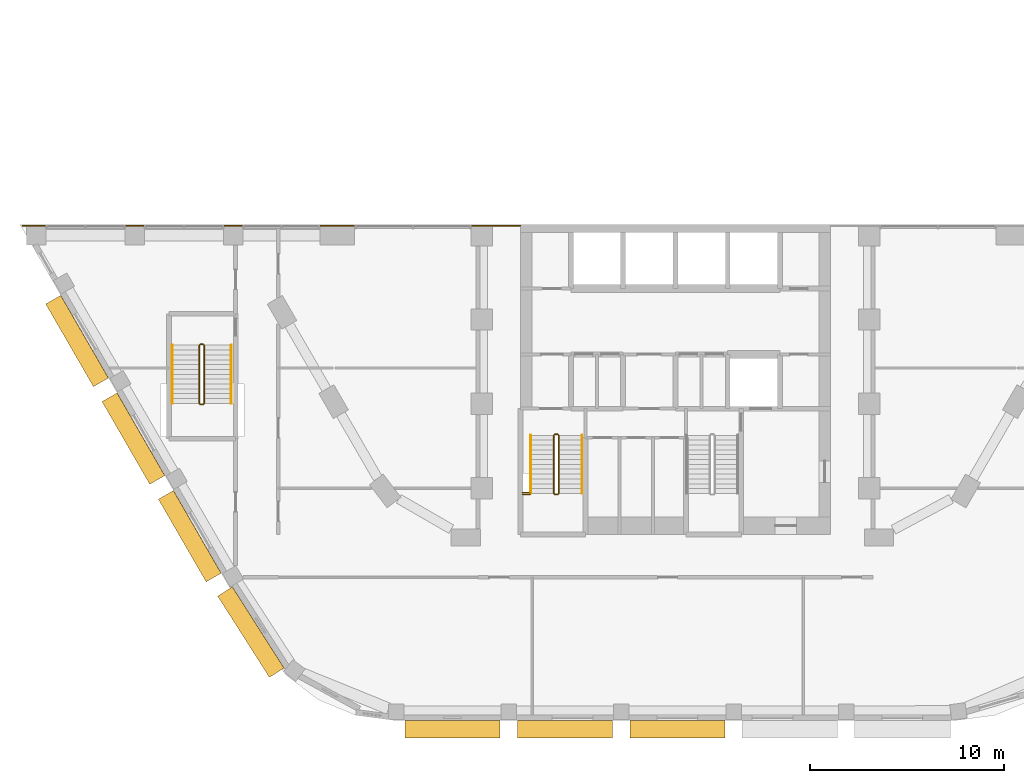
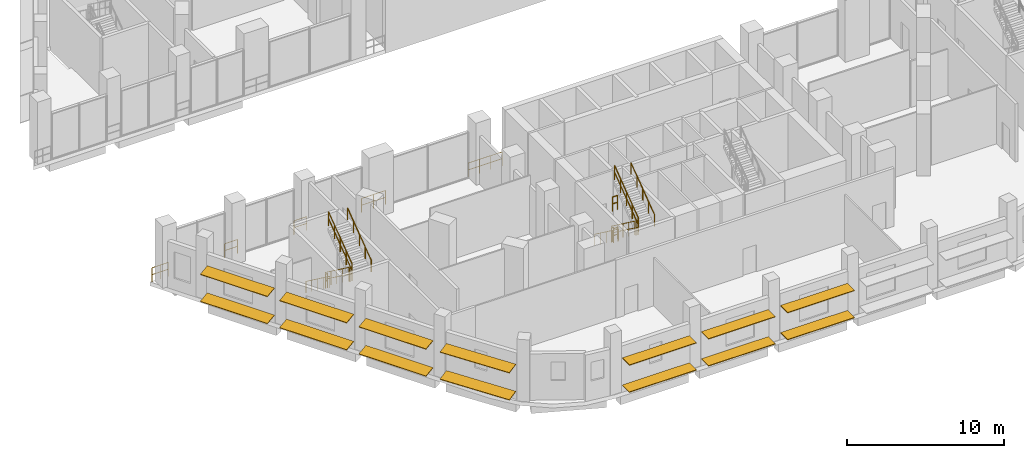
# One storey, part 35 of 45: 19 railings, 14 shading devices.
"""IFC4 building model written with IfcOpenShell, lengths in metres."""

import ifcopenshell
import ifcopenshell.guid

model = None  # the IFC model being written
_history = None  # IfcOwnerHistory: only IFC2X3 demands one
_inside = {}  # id of a spatial element -> (the spatial element, [elements in it])
_under = {}  # id of a project, library or spatial element -> (it, [spatial elements below it])
_declared = {}  # id of a project -> (the project, [libraries it declares])
_typed = {}  # id of a type object -> (the type object, [elements of that type])
_made_of = {}  # id of a material, layer set ... -> (it, [elements and type objects made of it])


def new_model(schema):
    """Start an empty IFC model of exactly this schema.

    Asked for "IFC4X3", IfcOpenShell would pick the latest addendum, in which some entities
    have other attributes; the version numbers below select the first issue.
    IFC2X3 requires an IfcOwnerHistory on every rooted entity: one is made here for all.
    """
    global model, _history
    if schema == "IFC4X3":
        model = ifcopenshell.file(schema_version=(4, 3, 0, 0))
    else:
        model = ifcopenshell.file(schema=schema)
    _inside.clear()
    _under.clear()
    _declared.clear()
    _typed.clear()
    _made_of.clear()
    _history = None
    if model.schema == "IFC2X3":
        org = make("IfcOrganization", Name="unknown")
        user = make(
            "IfcPersonAndOrganization",
            ThePerson=make("IfcPerson", FamilyName="unknown"),
            TheOrganization=org,
        )
        app = make(
            "IfcApplication",
            ApplicationDeveloper=org,
            Version="unknown",
            ApplicationFullName="unknown",
            ApplicationIdentifier="unknown",
        )
        _history = make(
            "IfcOwnerHistory",
            OwningUser=user,
            OwningApplication=app,
            ChangeAction="ADDED",
            CreationDate=0,
        )
    return model


def make(cls, **values):
    """One entity of the class cls with the attributes given. An attribute that is None is left unset."""
    return model.create_entity(
        cls, **{name: value for name, value in values.items() if value is not None}
    )


def rooted(cls, **values):
    """An entity with a GlobalId (a new one), such as an element, a storey or a relation."""
    return make(cls, GlobalId=ifcopenshell.guid.new(), OwnerHistory=_history, **values)


def si_unit(unit_type, name, prefix=None):
    """IfcSIUnit, for example si_unit("LENGTHUNIT", "METRE", prefix="MILLI")."""
    return make("IfcSIUnit", UnitType=unit_type, Prefix=prefix, Name=name)


def assignment(units):
    """IfcUnitAssignment: the units of a project."""
    return None if units is None else make("IfcUnitAssignment", Units=units)


def point(xyz):
    """IfcCartesianPoint."""
    return None if xyz is None else make("IfcCartesianPoint", Coordinates=xyz)


def direction(xyz):
    """IfcDirection."""
    return None if xyz is None else make("IfcDirection", DirectionRatios=xyz)


def frame(location, z_axis=None, x_axis=None):
    """IfcAxis2Placement3D, a coordinate frame: its origin and axes. An axis left out is left unset."""
    return make(
        "IfcAxis2Placement3D",
        Location=point(location),
        Axis=direction(z_axis),
        RefDirection=direction(x_axis),
    )


def frame_2d(location, x_axis=None):
    """IfcAxis2Placement2D, a coordinate frame in the plane: its origin and x axis."""
    return make(
        "IfcAxis2Placement2D", Location=point(location), RefDirection=direction(x_axis)
    )


def origin():
    """The frame at (0, 0, 0) with its axes left unset."""
    return frame((0.0, 0.0, 0.0))


def origin_2d():
    """The frame at (0, 0) in the plane with its x axis left unset."""
    return frame_2d((0.0, 0.0))


def place(relative_to, where):
    """IfcLocalPlacement: puts the frame where relative to a parent placement (None: the world)."""
    return make(
        "IfcLocalPlacement", PlacementRelTo=relative_to, RelativePlacement=where
    )


def context(
    kind, dimensions, precision=None, world=None, true_north=None, identifier=None
):
    """IfcGeometricRepresentationContext, for example the 3D "Model" context."""
    return make(
        "IfcGeometricRepresentationContext",
        ContextIdentifier=identifier,
        ContextType=kind,
        CoordinateSpaceDimension=dimensions,
        Precision=precision,
        WorldCoordinateSystem=world,
        TrueNorth=true_north,
    )


def subcontext(parent, identifier, kind, view, scale=None):
    """IfcGeometricRepresentationSubContext, for example "Body" below "Model"."""
    return make(
        "IfcGeometricRepresentationSubContext",
        ContextIdentifier=identifier,
        ContextType=kind,
        ParentContext=parent,
        TargetScale=scale,
        TargetView=view,
    )


def project(units=None, contexts=None):
    """IfcProject with its units and contexts."""
    return rooted(
        "IfcProject",
        Name="project",
        RepresentationContexts=contexts,
        UnitsInContext=assignment(units),
    )


def spatial(cls, under=None, at=None, **own):
    """A site, building, storey or space (cls), placed at a placement, below another one or the project."""
    s = rooted(cls, ObjectPlacement=at, **own)
    if under is not None:
        _under.setdefault(under.id(), (under, []))[1].append(s)
    return s


def profile(cls, at=None, kind="AREA", **sizes):
    """A parametric profile (cls). Its sizes go by their IFC names, for example OverallWidth=200.0."""
    return make(cls, ProfileType=kind, Position=at, **sizes)


def rectangle(**sizes):
    """IfcRectangleProfileDef."""
    return profile("IfcRectangleProfileDef", **sizes)


def circle(**sizes):
    """IfcCircleProfileDef."""
    return profile("IfcCircleProfileDef", **sizes)


def extrude(swept, where, along, depth):
    """IfcExtrudedAreaSolid: the profile swept, set in the frame where, extruded along a direction by depth."""
    return make(
        "IfcExtrudedAreaSolid",
        SweptArea=swept,
        Position=where,
        ExtrudedDirection=direction(along),
        Depth=depth,
    )


def shape(context_of_items, identifier, shape_type, items):
    """IfcShapeRepresentation: the items that make up one representation, for example the "Body"."""
    return make(
        "IfcShapeRepresentation",
        ContextOfItems=context_of_items,
        RepresentationIdentifier=identifier,
        RepresentationType=shape_type,
        Items=items,
    )


def material(Name=None, Category=None):
    """IfcMaterial."""
    return make("IfcMaterial", Name=Name, Category=Category)


def material_profile(
    of_material, cross_section, Name=None, Category=None, Priority=None
):
    """IfcMaterialProfile: a cross section and its material."""
    return make(
        "IfcMaterialProfile",
        Name=Name,
        Material=of_material,
        Profile=cross_section,
        Priority=Priority,
        Category=Category,
    )


def profile_set(profiles, Name=None, composite=None):
    """IfcMaterialProfileSet."""
    return make(
        "IfcMaterialProfileSet",
        Name=Name,
        MaterialProfiles=profiles,
        CompositeProfile=composite,
    )


def made_of(thing, what):
    """Note that an element or type object is made of a material, layer set ...; save() writes the relation."""
    if what is not None:
        _made_of.setdefault(what.id(), (what, []))[1].append(thing)
    return thing


def type_object(cls, material=None, **own):
    """A type object (cls), such as IfcWallType, which elements share."""
    return made_of(rooted(cls, **own), material)


def element(
    cls,
    number,
    at=None,
    inside=None,
    cuts=None,
    type_object=None,
    material=None,
    context=None,
    identifier="Body",
    shape_type=None,
    held_by="IfcProductDefinitionShape",
    body=None,
    shapes=None,
    **own,
):
    """One element of the class cls, such as IfcWall. Its Tag is "e" and its number.

    at: its placement. inside: the storey or other place that contains it. cuts: it is an
    opening in that element (IfcRelVoidsElement). A single representation is given by context,
    identifier, shape_type and body (its items); several are given by shapes. held_by: the class
    of the entity that holds the representations. save() writes the other relations.
    """
    e = rooted(cls, Tag="e%d" % number, ObjectPlacement=at, **own)
    if body is not None:
        shapes = [shape(context, identifier, shape_type, body)]
    if shapes is not None:
        e.Representation = make(held_by, Representations=shapes)
    if inside is not None:
        _inside.setdefault(inside.id(), (inside, []))[1].append(e)
    if cuts is not None:
        rooted(
            "IfcRelVoidsElement", RelatingBuildingElement=cuts, RelatedOpeningElement=e
        )
    if type_object is not None:
        _typed.setdefault(type_object.id(), (type_object, []))[1].append(e)
    return made_of(e, material)


def aggregate(whole, parts):
    """IfcRelAggregates: a whole, such as a stair, and the parts it consists of."""
    return rooted("IfcRelAggregates", RelatingObject=whole, RelatedObjects=parts)


def save(model, path):
    """Write the relations noted so far, then the file.

    IfcRelAggregates (storeys below a building ...), IfcRelContainedInSpatialStructure (elements
    in a storey), IfcRelDefinesByType, IfcRelAssociatesMaterial and IfcRelDeclares: one each for
    every whole, place, type object, material and project.
    """
    for whole, parts in _under.values():
        aggregate(whole, parts)
    for where, things in _inside.values():
        rooted(
            "IfcRelContainedInSpatialStructure",
            RelatedElements=things,
            RelatingStructure=where,
        )
    for kind, things in _typed.values():
        rooted("IfcRelDefinesByType", RelatedObjects=things, RelatingType=kind)
    for what, things in _made_of.values():
        rooted("IfcRelAssociatesMaterial", RelatedObjects=things, RelatingMaterial=what)
    for by, libraries in _declared.values():
        rooted("IfcRelDeclares", RelatingContext=by, RelatedDefinitions=libraries)
    model.write(path)


model = new_model("IFC4")

# Units and contexts
model_context = context("Model", 3, precision=1e-05, world=origin(), true_north=direction((0.0, 1.0)))
body_context = subcontext(model_context, "Body", "Model", "MODEL_VIEW")
ifc_project = project(units=[si_unit("LENGTHUNIT", "METRE"), si_unit("AREAUNIT", "SQUARE_METRE"), si_unit("VOLUMEUNIT", "CUBIC_METRE"), si_unit("PLANEANGLEUNIT", "RADIAN"), si_unit("MASSUNIT", "GRAM", prefix="KILO")], contexts=[model_context])

# Site, building, storey
site_placement = place(None, origin())
site = spatial("IfcSite", under=ifc_project, at=site_placement, CompositionType="ELEMENT")
building_placement = place(site_placement, origin())
building = spatial("IfcBuilding", under=site, at=building_placement, Name="Nakaniwa Court", CompositionType="ELEMENT")
storey_placement = place(building_placement, frame((0.0, 0.0, 6.60009765625)))
storey = spatial("IfcBuildingStorey", under=building, at=storey_placement, Name="L01", CompositionType="ELEMENT", Elevation=6.60009765625)

# Shading devices
ifc_material_1 = material(Name="Perforated charcoal ceramic louvre blade")
ifc_material_profile = material_profile(ifc_material_1, rectangle(XDim=0.89990234375, YDim=0.050048828125, at=origin_2d()), Name="Perforated ceramic louvre blade")
ifc_profile_set = profile_set([ifc_material_profile], Name="Perforated charcoal ceramic louvre blade")
shading_device_type = type_object("IfcShadingDeviceType", Name="Perforated ceramic louvre blade", PredefinedType="JALOUSIE", material=ifc_profile_set)
for number, where, z_axis, x_axis, name in (
    (1, (47.884765625, 68.726318359375, 0.5498046875), (0.499988503985, -0.86603204091, 0.0), (0.858623016745, 0.495711033022, 0.13052619222), "L01 perforated ceramic louvre blade w13 1"),
    (2, (47.884765625, 68.726318359375, 2.64990234375), (0.499988503985, -0.86603204091, 0.0), (0.858623016745, 0.495711033022, 0.13052619222), "L01 perforated ceramic louvre blade w13 2"),
    (3, (50.793212890625, 63.68896484375, 0.5498046875), (0.499988503985, -0.86603204091, 0.0), (0.858623016745, 0.495711033022, 0.13052619222), "L01 perforated ceramic louvre blade w14 1"),
    (4, (50.793212890625, 63.68896484375, 2.64990234375), (0.499988503985, -0.86603204091, 0.0), (0.858623016745, 0.495711033022, 0.13052619222), "L01 perforated ceramic louvre blade w14 2"),
    (5, (53.701416015625, 58.651611328125, 0.5498046875), (0.499988503985, -0.86603204091, 0.0), (0.858623016745, 0.495711033022, 0.13052619222), "L01 perforated ceramic louvre blade w15 1"),
    (6, (53.701416015625, 58.651611328125, 2.64990234375), (0.499988503985, -0.86603204091, 0.0), (0.858623016745, 0.495711033022, 0.13052619222), "L01 perforated ceramic louvre blade w15 2"),
):
    element("IfcShadingDevice", number, at=place(storey_placement, frame(where, z_axis=z_axis, x_axis=x_axis)), inside=storey, type_object=shading_device_type, Name=name, PredefinedType="JALOUSIE", context=body_context, shape_type="SweptSolid", body=[
        extrude(rectangle(XDim=0.89990234375, YDim=0.050048828125, at=origin_2d()), origin(), (0.0, 0.0, 1.0), 4.9248046875),
    ])
for number, where, z_axis, x_axis, name in (
    (7, (56.75048828125, 53.664794921875, 0.5498046875), (0.537237750098, -0.843430850675, 0.0), (0.837322169417, 0.533346720771, 0.120136838835), "L01 perforated ceramic louvre blade w16 1"),
    (8, (56.75048828125, 53.664794921875, 2.64990234375), (0.537237750098, -0.843430850675, 0.0), (0.837322169417, 0.533346720771, 0.120136838835), "L01 perforated ceramic louvre blade w16 2"),
):
    element("IfcShadingDevice", number, at=place(storey_placement, frame(where, z_axis=z_axis, x_axis=x_axis)), inside=storey, type_object=shading_device_type, Name=name, PredefinedType="JALOUSIE", context=body_context, shape_type="SweptSolid", body=[
        extrude(rectangle(XDim=0.89990234375, YDim=0.050048828125, at=origin_2d()), origin(), (0.0, 0.0, 1.0), 4.970703125),
    ])
for number, where, z_axis, x_axis, name in (
    (9, (66.041748046875, 46.550048828125, 0.5498046875), (1.0, 0.0, 0.0), (0.0, 1.0, 0.0), "L01 perforated ceramic louvre blade w19 1"),
    (10, (66.041748046875, 46.550048828125, 2.64990234375), (1.0, 0.0, 0.0), (0.0, 1.0, 0.0), "L01 perforated ceramic louvre blade w19 2"),
):
    element("IfcShadingDevice", number, at=place(storey_placement, frame(where, z_axis=z_axis, x_axis=x_axis)), inside=storey, type_object=shading_device_type, Name=name, PredefinedType="JALOUSIE", context=body_context, shape_type="SweptSolid", body=[
        extrude(rectangle(XDim=0.89990234375, YDim=0.050048828125, at=origin_2d()), origin(), (0.0, 0.0, 1.0), 4.91015625),
    ])
for number, where, z_axis, x_axis, name in (
    (11, (71.843994140625, 46.550048828125, 0.5498046875), (1.0, 0.0, 0.0), (0.0, 1.0, 0.0), "L01 perforated ceramic louvre blade w20 1"),
    (12, (71.843994140625, 46.550048828125, 2.64990234375), (1.0, 0.0, 0.0), (0.0, 1.0, 0.0), "L01 perforated ceramic louvre blade w20 2"),
):
    element("IfcShadingDevice", number, at=place(storey_placement, frame(where, z_axis=z_axis, x_axis=x_axis)), inside=storey, type_object=shading_device_type, Name=name, PredefinedType="JALOUSIE", context=body_context, shape_type="SweptSolid", body=[
        extrude(rectangle(XDim=0.89990234375, YDim=0.050048828125, at=origin_2d()), origin(), (0.0, 0.0, 1.0), 4.910400390625),
    ])
for number, where, z_axis, x_axis, name in (
    (13, (77.646240234375, 46.550048828125, 0.5498046875), (1.0, 0.0, 0.0), (0.0, 1.0, 0.0), "L01 perforated ceramic louvre blade w21 1"),
    (14, (77.646240234375, 46.550048828125, 2.64990234375), (1.0, 0.0, 0.0), (0.0, 1.0, 0.0), "L01 perforated ceramic louvre blade w21 2"),
):
    element("IfcShadingDevice", number, at=place(storey_placement, frame(where, z_axis=z_axis, x_axis=x_axis)), inside=storey, type_object=shading_device_type, Name=name, PredefinedType="JALOUSIE", context=body_context, shape_type="SweptSolid", body=[
        extrude(rectangle(XDim=0.89990234375, YDim=0.050048828125, at=origin_2d()), origin(), (0.0, 0.0, 1.0), 4.91015625),
    ])

# Railings
ifc_material_2 = material(Name="Black powder coated steel guard", Category="steel")
railing_type_1 = type_object("IfcRailingType", Name="Stair guard 1100", PredefinedType="GUARDRAIL", material=ifc_material_2)
railing_1_placement = place(storey_placement, frame((73.72509765625, 61.72509765625, 0.1845703125)))
element("IfcRailing", 15, at=railing_1_placement, inside=storey, type_object=railing_type_1, Name="L01 ST3 stair guard 1", PredefinedType="GUARDRAIL", context=body_context, shape_type="SweptSolid", body=[
    extrude(circle(Radius=0.02392578125, at=origin_2d()), frame((0.0, 0.0, 1.076171875), z_axis=(0.0, -0.804440004972, 0.594033903411), x_axis=(1.0, 0.0, 0.0)), (0.0, 0.0, 1.0), 3.729248046875),
    extrude(circle(Radius=0.02392578125, at=origin_2d()), frame((0.0, 0.0, 0.550048828125), z_axis=(0.0, -0.804440004972, 0.594033903411), x_axis=(1.0, 0.0, 0.0)), (0.0, 0.0, 1.0), 3.729248046875),
    extrude(circle(Radius=0.02099609375, at=origin_2d()), origin(), (0.0, 0.0, 1.0), 1.052001953125),
    extrude(circle(Radius=0.02099609375, at=origin_2d()), frame((0.0, -0.75, 0.5537109375)), (0.0, 0.0, 1.0), 1.052001953125),
    extrude(circle(Radius=0.02099609375, at=origin_2d()), frame((0.0, -1.5, 1.107666015625)), (0.0, 0.0, 1.0), 1.052001953125),
    extrude(circle(Radius=0.02099609375, at=origin_2d()), frame((0.0, -2.25, 1.66162109375)), (0.0, 0.0, 1.0), 1.052001953125),
    extrude(circle(Radius=0.02099609375, at=origin_2d()), frame((0.0, -3.0, 2.21533203125)), (0.0, 0.0, 1.0), 1.052001953125),
])
railing_2_placement = place(storey_placement, frame((73.77490234375, 58.675048828125, 2.39990234375)))
element("IfcRailing", 16, at=railing_2_placement, inside=storey, type_object=railing_type_1, Name="L01 ST3 stair guard 2", PredefinedType="GUARDRAIL", context=body_context, shape_type="SweptSolid", body=[
    extrude(circle(Radius=0.02392578125, at=origin_2d()), frame((0.0, 0.0, 1.076171875), z_axis=(1.0, 0.0, 0.0), x_axis=(0.0, 1.0, 0.0)), (0.0, 0.0, 1.0), 0.150146484375),
    extrude(circle(Radius=0.02392578125, at=origin_2d()), frame((0.0, 0.0, 0.550048828125), z_axis=(1.0, 0.0, 0.0), x_axis=(0.0, 1.0, 0.0)), (0.0, 0.0, 1.0), 0.150146484375),
    extrude(circle(Radius=0.02099609375, at=origin_2d()), origin(), (0.0, 0.0, 1.0), 1.052001953125),
    extrude(circle(Radius=0.02099609375, at=origin_2d()), frame((0.150146484375, 0.0, 0.0)), (0.0, 0.0, 1.0), 1.052001953125),
])
railing_3_placement = place(storey_placement, frame((73.97509765625, 58.72509765625, 2.58447265625)))
element("IfcRailing", 17, at=railing_3_placement, inside=storey, type_object=railing_type_1, Name="L01 ST3 stair guard 3", PredefinedType="GUARDRAIL", context=body_context, shape_type="SweptSolid", body=[
    extrude(circle(Radius=0.02392578125, at=origin_2d()), frame((0.0, 0.0, 1.076171875), z_axis=(0.0, 0.804440004972, 0.594033903411), x_axis=(-1.0, 0.0, 0.0)), (0.0, 0.0, 1.0), 3.729248046875),
    extrude(circle(Radius=0.02392578125, at=origin_2d()), frame((0.0, 0.0, 0.550048828125), z_axis=(0.0, 0.804440004972, 0.594033903411), x_axis=(-1.0, 0.0, 0.0)), (0.0, 0.0, 1.0), 3.729248046875),
    extrude(circle(Radius=0.02099609375, at=origin_2d()), origin(), (0.0, 0.0, 1.0), 1.052001953125),
    extrude(circle(Radius=0.02099609375, at=origin_2d()), frame((0.0, 0.75, 0.5537109375)), (0.0, 0.0, 1.0), 1.052001953125),
    extrude(circle(Radius=0.02099609375, at=origin_2d()), frame((0.0, 1.5, 1.107666015625)), (0.0, 0.0, 1.0), 1.052001953125),
    extrude(circle(Radius=0.02099609375, at=origin_2d()), frame((0.0, 2.25, 1.66162109375)), (0.0, 0.0, 1.0), 1.052001953125),
    extrude(circle(Radius=0.02099609375, at=origin_2d()), frame((0.0, 3.0, 2.21533203125)), (0.0, 0.0, 1.0), 1.052001953125),
])
railing_4_placement = place(storey_placement, frame((73.77490234375, 61.77490234375, 0.0)))
element("IfcRailing", 18, at=railing_4_placement, inside=storey, type_object=railing_type_1, Name="L01 ST3 stair guard 4", PredefinedType="GUARDRAIL", context=body_context, shape_type="SweptSolid", body=[
    extrude(circle(Radius=0.02392578125, at=origin_2d()), frame((0.0, 0.0, 1.076171875), z_axis=(1.0, 0.0, 0.0), x_axis=(0.0, 1.0, 0.0)), (0.0, 0.0, 1.0), 0.150146484375),
    extrude(circle(Radius=0.02392578125, at=origin_2d()), frame((0.0, 0.0, 0.550048828125), z_axis=(1.0, 0.0, 0.0), x_axis=(0.0, 1.0, 0.0)), (0.0, 0.0, 1.0), 0.150146484375),
    extrude(circle(Radius=0.02099609375, at=origin_2d()), origin(), (0.0, 0.0, 1.0), 1.052001953125),
    extrude(circle(Radius=0.02099609375, at=origin_2d()), frame((0.150146484375, 0.0, 0.0)), (0.0, 0.0, 1.0), 1.052001953125),
])
for number, where, name in (
    (19, (72.125, 58.675048828125, 2.39990234375), "L01 ST3 landing side guard 1W"),
    (20, (72.125, 58.77490234375, 4.7998046875), "L01 ST3 floor edge guard 1W"),
):
    element("IfcRailing", number, at=place(storey_placement, frame(where)), inside=storey, type_object=railing_type_1, Name=name, PredefinedType="GUARDRAIL", context=body_context, shape_type="SweptSolid", body=[
        extrude(circle(Radius=0.02392578125, at=origin_2d()), frame((0.0, 0.0, 1.076171875), z_axis=(1.0, 0.0, 0.0), x_axis=(0.0, 1.0, 0.0)), (0.0, 0.0, 1.0), 0.35009765625),
        extrude(circle(Radius=0.02392578125, at=origin_2d()), frame((0.0, 0.0, 0.550048828125), z_axis=(1.0, 0.0, 0.0), x_axis=(0.0, 1.0, 0.0)), (0.0, 0.0, 1.0), 0.35009765625),
        extrude(circle(Radius=0.02099609375, at=origin_2d()), origin(), (0.0, 0.0, 1.0), 1.052001953125),
        extrude(circle(Radius=0.02099609375, at=origin_2d()), frame((0.35009765625, 0.0, 0.0)), (0.0, 0.0, 1.0), 1.052001953125),
    ])
railing_5_placement = place(storey_placement, frame((55.425048828125, 66.375, 0.1845703125)))
element("IfcRailing", 21, at=railing_5_placement, inside=storey, type_object=railing_type_1, Name="L01 SS4 stair guard 1", PredefinedType="GUARDRAIL", context=body_context, shape_type="SweptSolid", body=[
    extrude(circle(Radius=0.02392578125, at=origin_2d()), frame((0.0, 0.0, 1.076171875), z_axis=(0.0, -0.804440004972, 0.594033903411), x_axis=(1.0, 0.0, 0.0)), (0.0, 0.0, 1.0), 3.729248046875),
    extrude(circle(Radius=0.02392578125, at=origin_2d()), frame((0.0, 0.0, 0.550048828125), z_axis=(0.0, -0.804440004972, 0.594033903411), x_axis=(1.0, 0.0, 0.0)), (0.0, 0.0, 1.0), 3.729248046875),
    extrude(circle(Radius=0.02099609375, at=origin_2d()), origin(), (0.0, 0.0, 1.0), 1.052001953125),
    extrude(circle(Radius=0.02099609375, at=origin_2d()), frame((0.0, -0.75, 0.5537109375)), (0.0, 0.0, 1.0), 1.052001953125),
    extrude(circle(Radius=0.02099609375, at=origin_2d()), frame((0.0, -1.5, 1.107666015625)), (0.0, 0.0, 1.0), 1.052001953125),
    extrude(circle(Radius=0.02099609375, at=origin_2d()), frame((0.0, -2.25, 1.66162109375)), (0.0, 0.0, 1.0), 1.052001953125),
    extrude(circle(Radius=0.02099609375, at=origin_2d()), frame((0.0, -3.0, 2.21533203125)), (0.0, 0.0, 1.0), 1.052001953125),
])
railing_6_placement = place(storey_placement, frame((55.47509765625, 63.324951171875, 2.39990234375)))
element("IfcRailing", 22, at=railing_6_placement, inside=storey, type_object=railing_type_1, Name="L01 SS4 stair guard 2", PredefinedType="GUARDRAIL", context=body_context, shape_type="SweptSolid", body=[
    extrude(circle(Radius=0.02392578125, at=origin_2d()), frame((0.0, 0.0, 1.076171875), z_axis=(1.0, 0.0, 0.0), x_axis=(0.0, 1.0, 0.0)), (0.0, 0.0, 1.0), 0.14990234375),
    extrude(circle(Radius=0.02392578125, at=origin_2d()), frame((0.0, 0.0, 0.550048828125), z_axis=(1.0, 0.0, 0.0), x_axis=(0.0, 1.0, 0.0)), (0.0, 0.0, 1.0), 0.14990234375),
    extrude(circle(Radius=0.02099609375, at=origin_2d()), origin(), (0.0, 0.0, 1.0), 1.052001953125),
    extrude(circle(Radius=0.02099609375, at=origin_2d()), frame((0.14990234375, 0.0, 0.0)), (0.0, 0.0, 1.0), 1.052001953125),
])
railing_7_placement = place(storey_placement, frame((55.675048828125, 63.375, 2.58447265625)))
element("IfcRailing", 23, at=railing_7_placement, inside=storey, type_object=railing_type_1, Name="L01 SS4 stair guard 3", PredefinedType="GUARDRAIL", context=body_context, shape_type="SweptSolid", body=[
    extrude(circle(Radius=0.02392578125, at=origin_2d()), frame((0.0, 0.0, 1.076171875), z_axis=(0.0, 0.804440004972, 0.594033903411), x_axis=(-1.0, 0.0, 0.0)), (0.0, 0.0, 1.0), 3.729248046875),
    extrude(circle(Radius=0.02392578125, at=origin_2d()), frame((0.0, 0.0, 0.550048828125), z_axis=(0.0, 0.804440004972, 0.594033903411), x_axis=(-1.0, 0.0, 0.0)), (0.0, 0.0, 1.0), 3.729248046875),
    extrude(circle(Radius=0.02099609375, at=origin_2d()), origin(), (0.0, 0.0, 1.0), 1.052001953125),
    extrude(circle(Radius=0.02099609375, at=origin_2d()), frame((0.0, 0.75, 0.5537109375)), (0.0, 0.0, 1.0), 1.052001953125),
    extrude(circle(Radius=0.02099609375, at=origin_2d()), frame((0.0, 1.5, 1.107666015625)), (0.0, 0.0, 1.0), 1.052001953125),
    extrude(circle(Radius=0.02099609375, at=origin_2d()), frame((0.0, 2.25, 1.66162109375)), (0.0, 0.0, 1.0), 1.052001953125),
    extrude(circle(Radius=0.02099609375, at=origin_2d()), frame((0.0, 3.0, 2.21533203125)), (0.0, 0.0, 1.0), 1.052001953125),
])
railing_8_placement = place(storey_placement, frame((55.47509765625, 66.425048828125, 0.0)))
element("IfcRailing", 24, at=railing_8_placement, inside=storey, type_object=railing_type_1, Name="L01 SS4 stair guard 4", PredefinedType="GUARDRAIL", context=body_context, shape_type="SweptSolid", body=[
    extrude(circle(Radius=0.02392578125, at=origin_2d()), frame((0.0, 0.0, 1.076171875), z_axis=(1.0, 0.0, 0.0), x_axis=(0.0, 1.0, 0.0)), (0.0, 0.0, 1.0), 0.14990234375),
    extrude(circle(Radius=0.02392578125, at=origin_2d()), frame((0.0, 0.0, 0.550048828125), z_axis=(1.0, 0.0, 0.0), x_axis=(0.0, 1.0, 0.0)), (0.0, 0.0, 1.0), 0.14990234375),
    extrude(circle(Radius=0.02099609375, at=origin_2d()), origin(), (0.0, 0.0, 1.0), 1.052001953125),
    extrude(circle(Radius=0.02099609375, at=origin_2d()), frame((0.14990234375, 0.0, 0.0)), (0.0, 0.0, 1.0), 1.052001953125),
])
railing_9_placement = place(storey_placement, frame((46.297119140625, 72.550048828125, 0.0)))
element("IfcRailing", 25, at=railing_9_placement, inside=storey, type_object=railing_type_1, Name="GUARD GD-L01-001", PredefinedType="GUARDRAIL", context=body_context, shape_type="SweptSolid", body=[
    extrude(circle(Radius=0.02392578125, at=origin_2d()), frame((0.0, 0.0, 1.076171875), z_axis=(1.0, 0.0, 0.0), x_axis=(0.0, 1.0, 0.0)), (0.0, 0.0, 1.0), 1.18896484375),
    extrude(circle(Radius=0.02392578125, at=origin_2d()), frame((0.0, 0.0, 0.550048828125), z_axis=(1.0, 0.0, 0.0), x_axis=(0.0, 1.0, 0.0)), (0.0, 0.0, 1.0), 1.18896484375),
    extrude(circle(Radius=0.02099609375, at=origin_2d()), origin(), (0.0, 0.0, 1.0), 1.052001953125),
    extrude(circle(Radius=0.02099609375, at=origin_2d()), frame((0.594482421875, 0.0, 0.0)), (0.0, 0.0, 1.0), 1.052001953125),
    extrude(circle(Radius=0.02099609375, at=origin_2d()), frame((1.18896484375, 0.0, 0.0)), (0.0, 0.0, 1.0), 1.052001953125),
])
railing_10_placement = place(storey_placement, frame((51.610107421875, 72.550048828125, 0.0)))
element("IfcRailing", 26, at=railing_10_placement, inside=storey, type_object=railing_type_1, Name="GUARD GD-L01-002", PredefinedType="GUARDRAIL", context=body_context, shape_type="SweptSolid", body=[
    extrude(circle(Radius=0.02392578125, at=origin_2d()), frame((0.0, 0.0, 1.076171875), z_axis=(1.0, 0.0, 0.0), x_axis=(0.0, 1.0, 0.0)), (0.0, 0.0, 1.0), 0.95947265625),
    extrude(circle(Radius=0.02392578125, at=origin_2d()), frame((0.0, 0.0, 0.550048828125), z_axis=(1.0, 0.0, 0.0), x_axis=(0.0, 1.0, 0.0)), (0.0, 0.0, 1.0), 0.95947265625),
    extrude(circle(Radius=0.02099609375, at=origin_2d()), origin(), (0.0, 0.0, 1.0), 1.052001953125),
    extrude(circle(Radius=0.02099609375, at=origin_2d()), frame((0.95947265625, 0.0, 0.0)), (0.0, 0.0, 1.0), 1.052001953125),
])
railing_11_placement = place(storey_placement, frame((56.703857421875, 72.550048828125, 0.0)))
element("IfcRailing", 27, at=railing_11_placement, inside=storey, type_object=railing_type_1, Name="GUARD GD-L01-003", PredefinedType="GUARDRAIL", context=body_context, shape_type="SweptSolid", body=[
    extrude(circle(Radius=0.02392578125, at=origin_2d()), frame((0.0, 0.0, 1.076171875), z_axis=(1.0, 0.0, 0.0), x_axis=(0.0, 1.0, 0.0)), (0.0, 0.0, 1.0), 0.939453125),
    extrude(circle(Radius=0.02392578125, at=origin_2d()), frame((0.0, 0.0, 0.550048828125), z_axis=(1.0, 0.0, 0.0), x_axis=(0.0, 1.0, 0.0)), (0.0, 0.0, 1.0), 0.939453125),
    extrude(circle(Radius=0.02099609375, at=origin_2d()), origin(), (0.0, 0.0, 1.0), 1.052001953125),
    extrude(circle(Radius=0.02099609375, at=origin_2d()), frame((0.939453125, 0.0, 0.0)), (0.0, 0.0, 1.0), 1.052001953125),
])
railing_12_placement = place(storey_placement, frame((61.65771484375, 72.550048828125, 0.0)))
element("IfcRailing", 28, at=railing_12_placement, inside=storey, type_object=railing_type_1, Name="GUARD GD-L01-004", PredefinedType="GUARDRAIL", context=body_context, shape_type="SweptSolid", body=[
    extrude(circle(Radius=0.02392578125, at=origin_2d()), frame((0.0, 0.0, 1.076171875), z_axis=(1.0, 0.0, 0.0), x_axis=(0.0, 1.0, 0.0)), (0.0, 0.0, 1.0), 1.768310546875),
    extrude(circle(Radius=0.02392578125, at=origin_2d()), frame((0.0, 0.0, 0.550048828125), z_axis=(1.0, 0.0, 0.0), x_axis=(0.0, 1.0, 0.0)), (0.0, 0.0, 1.0), 1.768310546875),
    extrude(circle(Radius=0.02099609375, at=origin_2d()), origin(), (0.0, 0.0, 1.0), 1.052001953125),
    extrude(circle(Radius=0.02099609375, at=origin_2d()), frame((0.88427734375, 0.0, 0.0)), (0.0, 0.0, 1.0), 1.052001953125),
    extrude(circle(Radius=0.02099609375, at=origin_2d()), frame((1.768310546875, 0.0, 0.0)), (0.0, 0.0, 1.0), 1.052001953125),
])
railing_13_placement = place(storey_placement, frame((69.47802734375, 72.550048828125, 0.0)))
element("IfcRailing", 29, at=railing_13_placement, inside=storey, type_object=railing_type_1, Name="GUARD GD-L01-005", PredefinedType="GUARDRAIL", context=body_context, shape_type="SweptSolid", body=[
    extrude(circle(Radius=0.02392578125, at=origin_2d()), frame((0.0, 0.0, 1.076171875), z_axis=(1.0, 0.0, 0.0), x_axis=(0.0, 1.0, 0.0)), (0.0, 0.0, 1.0), 2.507080078125),
    extrude(circle(Radius=0.02392578125, at=origin_2d()), frame((0.0, 0.0, 0.550048828125), z_axis=(1.0, 0.0, 0.0), x_axis=(0.0, 1.0, 0.0)), (0.0, 0.0, 1.0), 2.507080078125),
    extrude(circle(Radius=0.02099609375, at=origin_2d()), origin(), (0.0, 0.0, 1.0), 1.052001953125),
    extrude(circle(Radius=0.02099609375, at=origin_2d()), frame((0.835693359375, 0.0, 0.0)), (0.0, 0.0, 1.0), 1.052001953125),
    extrude(circle(Radius=0.02099609375, at=origin_2d()), frame((1.67138671875, 0.0, 0.0)), (0.0, 0.0, 1.0), 1.052001953125),
    extrude(circle(Radius=0.02099609375, at=origin_2d()), frame((2.507080078125, 0.0, 0.0)), (0.0, 0.0, 1.0), 1.052001953125),
])
ifc_material_3 = material(Name="Black powder coated steel handrail", Category="steel")
railing_type_2 = type_object("IfcRailingType", Name="Stair handrail 900", PredefinedType="HANDRAIL", material=ifc_material_3)
railing_14_placement = place(storey_placement, frame((72.52490234375, 61.72509765625, 0.1845703125)))
element("IfcRailing", 30, at=railing_14_placement, inside=storey, type_object=railing_type_2, Name="L01 ST3 stair handrail 1", PredefinedType="HANDRAIL", context=body_context, shape_type="SweptSolid", body=[
    extrude(circle(Radius=0.02392578125, at=origin_2d()), frame((0.0, 0.0, 0.8759765625), z_axis=(0.0, -0.804440004972, 0.594033903411), x_axis=(1.0, 0.0, 0.0)), (0.0, 0.0, 1.0), 3.729248046875),
    extrude(circle(Radius=0.02099609375, at=origin_2d()), origin(), (0.0, 0.0, 1.0), 0.851806640625),
    extrude(circle(Radius=0.02099609375, at=origin_2d()), frame((0.0, -0.75, 0.5537109375)), (0.0, 0.0, 1.0), 0.851806640625),
    extrude(circle(Radius=0.02099609375, at=origin_2d()), frame((0.0, -1.5, 1.107666015625)), (0.0, 0.0, 1.0), 0.851806640625),
    extrude(circle(Radius=0.02099609375, at=origin_2d()), frame((0.0, -2.25, 1.66162109375)), (0.0, 0.0, 1.0), 0.851806640625),
    extrude(circle(Radius=0.02099609375, at=origin_2d()), frame((0.0, -3.0, 2.21533203125)), (0.0, 0.0, 1.0), 0.851806640625),
])
railing_15_placement = place(storey_placement, frame((75.175048828125, 58.72509765625, 2.58447265625)))
element("IfcRailing", 31, at=railing_15_placement, inside=storey, type_object=railing_type_2, Name="L01 ST3 stair handrail 2", PredefinedType="HANDRAIL", context=body_context, shape_type="SweptSolid", body=[
    extrude(circle(Radius=0.02392578125, at=origin_2d()), frame((0.0, 0.0, 0.8759765625), z_axis=(0.0, 0.804440004972, 0.594033903411), x_axis=(-1.0, 0.0, 0.0)), (0.0, 0.0, 1.0), 3.729248046875),
    extrude(circle(Radius=0.02099609375, at=origin_2d()), origin(), (0.0, 0.0, 1.0), 0.851806640625),
    extrude(circle(Radius=0.02099609375, at=origin_2d()), frame((0.0, 0.75, 0.5537109375)), (0.0, 0.0, 1.0), 0.851806640625),
    extrude(circle(Radius=0.02099609375, at=origin_2d()), frame((0.0, 1.5, 1.107666015625)), (0.0, 0.0, 1.0), 0.851806640625),
    extrude(circle(Radius=0.02099609375, at=origin_2d()), frame((0.0, 2.25, 1.66162109375)), (0.0, 0.0, 1.0), 0.851806640625),
    extrude(circle(Radius=0.02099609375, at=origin_2d()), frame((0.0, 3.0, 2.21533203125)), (0.0, 0.0, 1.0), 0.851806640625),
])
railing_16_placement = place(storey_placement, frame((54.02490234375, 66.375, 0.1845703125)))
element("IfcRailing", 32, at=railing_16_placement, inside=storey, type_object=railing_type_2, Name="L01 SS4 stair handrail 1", PredefinedType="HANDRAIL", context=body_context, shape_type="SweptSolid", body=[
    extrude(circle(Radius=0.02392578125, at=origin_2d()), frame((0.0, 0.0, 0.8759765625), z_axis=(0.0, -0.804440004972, 0.594033903411), x_axis=(1.0, 0.0, 0.0)), (0.0, 0.0, 1.0), 3.729248046875),
    extrude(circle(Radius=0.02099609375, at=origin_2d()), origin(), (0.0, 0.0, 1.0), 0.851806640625),
    extrude(circle(Radius=0.02099609375, at=origin_2d()), frame((0.0, -0.75, 0.5537109375)), (0.0, 0.0, 1.0), 0.851806640625),
    extrude(circle(Radius=0.02099609375, at=origin_2d()), frame((0.0, -1.5, 1.107666015625)), (0.0, 0.0, 1.0), 0.851806640625),
    extrude(circle(Radius=0.02099609375, at=origin_2d()), frame((0.0, -2.25, 1.66162109375)), (0.0, 0.0, 1.0), 0.851806640625),
    extrude(circle(Radius=0.02099609375, at=origin_2d()), frame((0.0, -3.0, 2.21533203125)), (0.0, 0.0, 1.0), 0.851806640625),
])
railing_17_placement = place(storey_placement, frame((57.074951171875, 63.375, 2.58447265625)))
element("IfcRailing", 33, at=railing_17_placement, inside=storey, type_object=railing_type_2, Name="L01 SS4 stair handrail 2", PredefinedType="HANDRAIL", context=body_context, shape_type="SweptSolid", body=[
    extrude(circle(Radius=0.02392578125, at=origin_2d()), frame((0.0, 0.0, 0.8759765625), z_axis=(0.0, 0.804440004972, 0.594033903411), x_axis=(-1.0, 0.0, 0.0)), (0.0, 0.0, 1.0), 3.729248046875),
    extrude(circle(Radius=0.02099609375, at=origin_2d()), origin(), (0.0, 0.0, 1.0), 0.851806640625),
    extrude(circle(Radius=0.02099609375, at=origin_2d()), frame((0.0, 0.75, 0.5537109375)), (0.0, 0.0, 1.0), 0.851806640625),
    extrude(circle(Radius=0.02099609375, at=origin_2d()), frame((0.0, 1.5, 1.107666015625)), (0.0, 0.0, 1.0), 0.851806640625),
    extrude(circle(Radius=0.02099609375, at=origin_2d()), frame((0.0, 2.25, 1.66162109375)), (0.0, 0.0, 1.0), 0.851806640625),
    extrude(circle(Radius=0.02099609375, at=origin_2d()), frame((0.0, 3.0, 2.21533203125)), (0.0, 0.0, 1.0), 0.851806640625),
])

save(model, "model.ifc")
